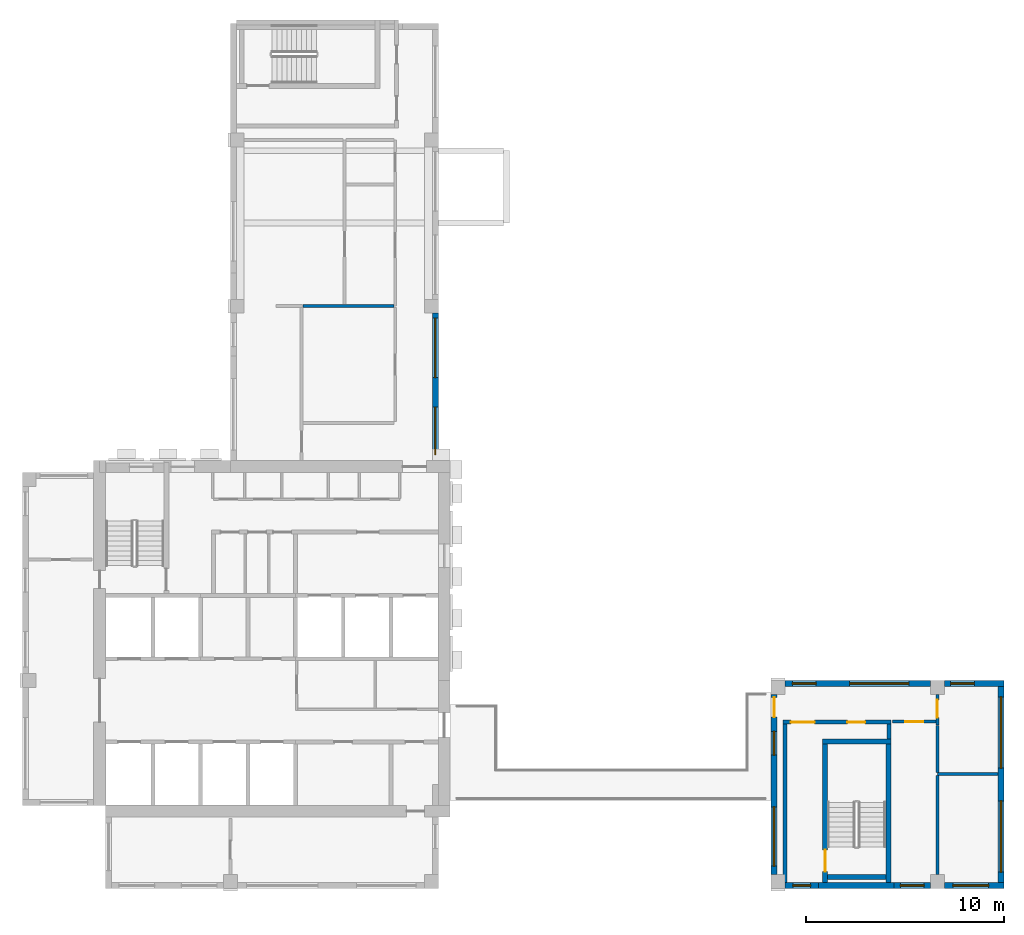
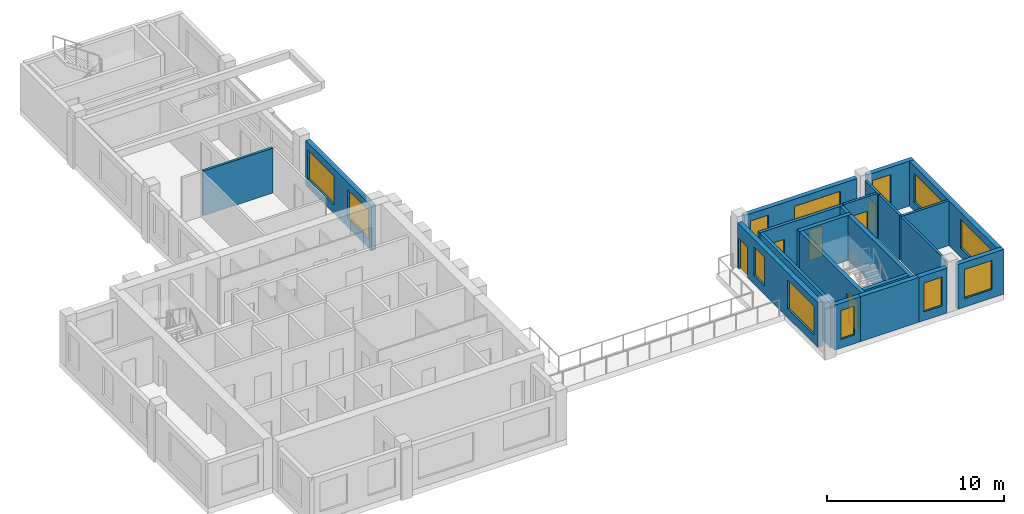
# One storey, part 4 of 9: 22 walls, 12 windows, 6 doors, 18 openings.
"""IFC4 building model written with IfcOpenShell, lengths in metres."""

from ifc_helpers import new_model, si_unit, direction, frame, frame_2d, origin, place, context, subcontext, project, spatial, rectangle, extrude, source, transform, mapped, material, layer, layer_set, type_object, element, fill, save


model = new_model("IFC4")

# Units and contexts
model_context = context("Model", 3, precision=1e-05, world=origin(), true_north=direction((0.0, 1.0)))
body_context = subcontext(model_context, "Body", "Model", "MODEL_VIEW")
ifc_project = project(units=[si_unit("LENGTHUNIT", "METRE"), si_unit("AREAUNIT", "SQUARE_METRE"), si_unit("VOLUMEUNIT", "CUBIC_METRE"), si_unit("PLANEANGLEUNIT", "RADIAN"), si_unit("MASSUNIT", "GRAM", prefix="KILO")], contexts=[model_context])

# Site, building, storey
site_placement = place(None, origin())
site = spatial("IfcSite", under=ifc_project, at=site_placement, CompositionType="ELEMENT")
building_placement = place(site_placement, origin())
building = spatial("IfcBuilding", under=site, at=building_placement, Name="Aurelian Terraces", CompositionType="ELEMENT")
storey_placement = place(building_placement, frame((0.0, 0.0, 295.0)))
storey = spatial("IfcBuildingStorey", under=building, at=storey_placement, Name="L67", CompositionType="ELEMENT", Elevation=295.0)

# Wall, openings, door, windows
ifc_material_1 = material(Name="Terracotta rainscreen cladding", Category="masonry")
ifc_layer_1 = layer(ifc_material_1, 0.3)
ifc_layer_set_1 = layer_set([ifc_layer_1], Name="EW-300")
wall_type_1 = type_object("IfcWallType", Name="EW-300", PredefinedType="STANDARD", material=ifc_layer_set_1)
wall_1_placement = place(storey_placement, frame((37.95, 9.8, 0.0), z_axis=(0.0, 0.0, 1.0), x_axis=(0.0, -1.0, 0.0)))
wall_1 = element("IfcWall", 1, at=wall_1_placement, inside=storey, type_object=wall_type_1, Name="External wall L67 F16.25", PredefinedType="STANDARD", context=body_context, shape_type="SweptSolid", body=[
    extrude(rectangle(XDim=9.1, YDim=0.3, at=frame_2d((4.55, 0.0))), origin(), (0.0, 0.0, 1.0), 3.1),
])
shared_shape_1 = source(origin(), body_context, "Body", "SweptSolid", [
    extrude(rectangle(XDim=1.2, YDim=2.0, at=frame_2d((0.6, 1.0))), frame((0.0, 0.16, 0.0), z_axis=(0.0, -1.0, 0.0), x_axis=(1.0, 0.0, 0.0)), (0.0, 0.0, 1.0), 0.32),
])
opening_1_placement = place(wall_1_placement, frame((1.8625, 0.0, 0.6)))
opening_1 = element("IfcOpeningElement", 2, at=opening_1_placement, cuts=wall_1, Name="Opening W1220", PredefinedType="OPENING", context=body_context, shape_type="MappedRepresentation", body=[
    mapped(shared_shape_1, transform((0.0, 0.0, 0.0), scale=1.0)),
])
shared_shape_2 = source(origin(), body_context, "Body", "SweptSolid", [
    extrude(rectangle(XDim=3.0, YDim=2.0, at=frame_2d((1.5, 1.0))), frame((0.0, 0.16, 0.0), z_axis=(0.0, -1.0, 0.0), x_axis=(1.0, 0.0, 0.0)), (0.0, 0.0, 1.0), 0.32),
])
opening_2_placement = place(wall_1_placement, frame((5.675, 0.0, 0.6)))
opening_2 = element("IfcOpeningElement", 3, at=opening_2_placement, cuts=wall_1, Name="Opening W3020", PredefinedType="OPENING", context=body_context, shape_type="MappedRepresentation", body=[
    mapped(shared_shape_2, transform((0.0, 0.0, 0.0), scale=1.0)),
])
opening_3_placement = place(wall_1_placement, frame((0.15, 0.0, 0.0)))
opening_3 = element("IfcOpeningElement", 4, at=opening_3_placement, cuts=wall_1, Name="Opening 86701", PredefinedType="OPENING", context=body_context, shape_type="SweptSolid", body=[
    extrude(rectangle(XDim=1.0, YDim=2.1, at=frame_2d((0.5, 1.05))), frame((0.0, 0.16, 0.0), z_axis=(0.0, -1.0, 0.0), x_axis=(1.0, 0.0, 0.0)), (0.0, 0.0, 1.0), 0.32),
])
ifc_material_2 = material(Name="Clear glazing", Category="glass")
door_type_1 = type_object("IfcDoorType", Name="BD-1000x2100", OperationType="SLIDING_TO_LEFT", PredefinedType="DOOR", material=ifc_material_2)
door_1_placement = place(opening_3_placement, origin())
door_1 = element("IfcDoor", 5, at=door_1_placement, inside=storey, type_object=door_type_1, Name="Link bridge door L67 BLADE-S", OperationType="SLIDING_TO_LEFT", OverallHeight=2.1, OverallWidth=1.0, PredefinedType="DOOR", context=body_context, shape_type="SweptSolid", body=[
    extrude(rectangle(XDim=1.0, YDim=2.1, at=frame_2d((0.5, 1.05))), frame((0.0, 0.025, 0.0), z_axis=(0.0, -1.0, 0.0), x_axis=(1.0, 0.0, 0.0)), (0.0, 0.0, 1.0), 0.05),
])
fill(opening_3, door_1)
window_type_1 = type_object("IfcWindowType", Name="W-3000x2000", PartitioningType="SINGLE_PANEL", PredefinedType="WINDOW", material=ifc_material_2)
shared_shape_3 = source(origin(), body_context, "Body", "SweptSolid", [
    extrude(rectangle(XDim=3.0, YDim=2.0, at=frame_2d((1.5, 1.0))), frame((0.0, 0.03, 0.0), z_axis=(0.0, -1.0, 0.0), x_axis=(1.0, 0.0, 0.0)), (0.0, 0.0, 1.0), 0.06),
])
window_1_placement = place(opening_2_placement, origin())
window_1 = element("IfcWindow", 6, at=window_1_placement, inside=storey, type_object=window_type_1, Name="Window L67 L67-F16-25-1", OverallHeight=2.0, OverallWidth=3.0, PartitioningType="SINGLE_PANEL", PredefinedType="WINDOW", context=body_context, shape_type="MappedRepresentation", body=[
    mapped(shared_shape_3, transform((0.0, 0.0, 0.0), scale=1.0)),
])
fill(opening_2, window_1)
window_type_2 = type_object("IfcWindowType", Name="W-1200x2000", PartitioningType="SINGLE_PANEL", PredefinedType="WINDOW", material=ifc_material_2)
shared_shape_4 = source(origin(), body_context, "Body", "SweptSolid", [
    extrude(rectangle(XDim=1.2, YDim=2.0, at=frame_2d((0.6, 1.0))), frame((0.0, 0.03, 0.0), z_axis=(0.0, -1.0, 0.0), x_axis=(1.0, 0.0, 0.0)), (0.0, 0.0, 1.0), 0.06),
])
window_2_placement = place(opening_1_placement, origin())
window_2 = element("IfcWindow", 7, at=window_2_placement, inside=storey, type_object=window_type_2, Name="Window L67 L67-F16-25-0", OverallHeight=2.0, OverallWidth=1.2, PartitioningType="SINGLE_PANEL", PredefinedType="WINDOW", context=body_context, shape_type="MappedRepresentation", body=[
    mapped(shared_shape_4, transform((0.0, 0.0, 0.0), scale=1.0)),
])
fill(opening_1, window_2)

# Walls
ifc_material_3 = material(Name="Gypsum board on steel studs", Category="steel")
ifc_layer_2 = layer(ifc_material_3, 0.15)
ifc_layer_set_2 = layer_set([ifc_layer_2], Name="Fire partition 150")
wall_type_2 = type_object("IfcWallType", Name="Fire partition 150", PredefinedType="PARTITIONING", material=ifc_layer_set_2)
wall_2_placement = place(storey_placement, frame((46.2, 0.699, 0.0), z_axis=(0.0, 0.0, 1.0), x_axis=(0.0, 1.0, 0.0)))
element("IfcWall", 8, at=wall_2_placement, inside=storey, type_object=wall_type_2, Name="Party wall", PredefinedType="PARTITIONING", context=body_context, shape_type="SweptSolid", body=[
    extrude(rectangle(XDim=5.001, YDim=0.15, at=frame_2d((2.5005, 0.0))), origin(), (0.0, 0.0, 1.0), 3.1),
])
wall_3_placement = place(storey_placement, frame((46.2, 5.85, 0.0), z_axis=(0.0, 0.0, 1.0), x_axis=(0.0, 1.0, 0.0)))
element("IfcWall", 9, at=wall_3_placement, inside=storey, type_object=wall_type_2, Name="Party wall", PredefinedType="PARTITIONING", context=body_context, shape_type="SweptSolid", body=[
    extrude(rectangle(XDim=2.38, YDim=0.15, at=frame_2d((1.19, 0.0))), origin(), (0.0, 0.0, 1.0), 3.1),
])

# Wall, opening, door
ifc_layer_3 = layer(ifc_material_3, 0.15)
ifc_layer_set_3 = layer_set([ifc_layer_3], Name="Partition 150")
wall_type_3 = type_object("IfcWallType", Name="Partition 150", PredefinedType="PARTITIONING", material=ifc_layer_set_3)
wall_4_placement = place(storey_placement, frame((46.2, 9.801, 0.0), z_axis=(0.0, 0.0, 1.0), x_axis=(0.0, -1.0, 0.0)))
wall_4 = element("IfcWall", 10, at=wall_4_placement, inside=storey, type_object=wall_type_3, Name="Partition", PredefinedType="PARTITIONING", context=body_context, shape_type="SweptSolid", body=[
    extrude(rectangle(XDim=1.551, YDim=0.15, at=frame_2d((0.7755, 0.0))), origin(), (0.0, 0.0, 1.0), 3.1),
])
shared_shape_5 = source(origin(), body_context, "Body", "SweptSolid", [
    extrude(rectangle(XDim=0.9, YDim=2.1, at=frame_2d((0.45, 1.05))), frame((0.0, 0.085, 0.0), z_axis=(0.0, -1.0, 0.0), x_axis=(1.0, 0.0, 0.0)), (0.0, 0.0, 1.0), 0.17),
])
opening_4_placement = place(wall_4_placement, frame((0.275, 0.0, 0.0)))
opening_4 = element("IfcOpeningElement", 11, at=opening_4_placement, cuts=wall_4, Name="Opening 767009", PredefinedType="OPENING", context=body_context, shape_type="MappedRepresentation", body=[
    mapped(shared_shape_5, transform((0.0, 0.0, 0.0), scale=1.0)),
])
ifc_material_4 = material(Name="Timber door leaf", Category="wood")
door_type_2 = type_object("IfcDoorType", Name="Room door 900x2100 left", OperationType="SINGLE_SWING_LEFT", PredefinedType="DOOR", material=ifc_material_4)
shared_shape_6 = source(origin(), body_context, "Body", "SweptSolid", [
    extrude(rectangle(XDim=0.9, YDim=2.1, at=frame_2d((0.45, 1.05))), frame((0.0, 0.025, 0.0), z_axis=(0.0, -1.0, 0.0), x_axis=(1.0, 0.0, 0.0)), (0.0, 0.0, 1.0), 0.05),
])
door_2_placement = place(opening_4_placement, origin())
door_2 = element("IfcDoor", 12, at=door_2_placement, inside=storey, type_object=door_type_2, Name="Door 767009", OperationType="SINGLE_SWING_LEFT", OverallHeight=2.1, OverallWidth=0.9, PredefinedType="DOOR", context=body_context, shape_type="MappedRepresentation", body=[
    mapped(shared_shape_6, transform((0.0, 0.0, 0.0), scale=1.0)),
])
fill(opening_4, door_2)

# Wall, opening, window
shared_shape_7 = source(origin(), body_context, "Body", "SweptSolid", [
    extrude(rectangle(XDim=3.01, YDim=0.3, at=frame_2d((1.505, 0.0))), origin(), (0.0, 0.0, 1.0), 3.1),
])
wall_5_placement = place(storey_placement, frame((46.55, 0.15, 0.0), z_axis=(0.0, 0.0, 1.0), x_axis=(1.0, 0.0, 0.0)))
wall_5 = element("IfcWall", 13, at=wall_5_placement, inside=storey, type_object=wall_type_1, Name="External wall L67 F13.22", PredefinedType="STANDARD", context=body_context, shape_type="MappedRepresentation", body=[
    mapped(shared_shape_7, transform((0.0, 0.0, 0.0), scale=1.0)),
])
shared_shape_8 = source(origin(), body_context, "Body", "SweptSolid", [
    extrude(rectangle(XDim=1.8, YDim=2.0, at=frame_2d((0.9, 1.0))), frame((0.0, 0.16, 0.0), z_axis=(0.0, -1.0, 0.0), x_axis=(1.0, 0.0, 0.0)), (0.0, 0.0, 1.0), 0.32),
])
opening_5_placement = place(wall_5_placement, frame((0.43, 0.0, 0.6)))
opening_5 = element("IfcOpeningElement", 14, at=opening_5_placement, cuts=wall_5, Name="Opening W1820", PredefinedType="OPENING", context=body_context, shape_type="MappedRepresentation", body=[
    mapped(shared_shape_8, transform((0.0, 0.0, 0.0), scale=1.0)),
])
window_type_3 = type_object("IfcWindowType", Name="W-1800x2000", PartitioningType="SINGLE_PANEL", PredefinedType="WINDOW", material=ifc_material_2)
shared_shape_9 = source(origin(), body_context, "Body", "SweptSolid", [
    extrude(rectangle(XDim=1.8, YDim=2.0, at=frame_2d((0.9, 1.0))), frame((0.0, 0.03, 0.0), z_axis=(0.0, -1.0, 0.0), x_axis=(1.0, 0.0, 0.0)), (0.0, 0.0, 1.0), 0.06),
])
window_3_placement = place(opening_5_placement, origin())
window_3 = element("IfcWindow", 15, at=window_3_placement, inside=storey, type_object=window_type_3, Name="Window L67 L67-F13-22-0", OverallHeight=2.0, OverallWidth=1.8, PartitioningType="SINGLE_PANEL", PredefinedType="WINDOW", context=body_context, shape_type="MappedRepresentation", body=[
    mapped(shared_shape_9, transform((0.0, 0.0, 0.0), scale=1.0)),
])
fill(opening_5, window_3)

wall_6_placement = place(storey_placement, frame((49.56, 10.35, 0.0), z_axis=(0.0, 0.0, 1.0), x_axis=(-1.0, 0.0, 0.0)))
wall_6 = element("IfcWall", 16, at=wall_6_placement, inside=storey, type_object=wall_type_1, Name="External wall L67 F15.24", PredefinedType="STANDARD", context=body_context, shape_type="MappedRepresentation", body=[
    mapped(shared_shape_7, transform((0.0, 0.0, 0.0), scale=1.0)),
])
opening_6_placement = place(wall_6_placement, frame((1.5, 0.0, 0.6)))
opening_6 = element("IfcOpeningElement", 17, at=opening_6_placement, cuts=wall_6, Name="Opening W1220", PredefinedType="OPENING", context=body_context, shape_type="MappedRepresentation", body=[
    mapped(shared_shape_1, transform((0.0, 0.0, 0.0), scale=1.0)),
])
window_4_placement = place(opening_6_placement, origin())
window_4 = element("IfcWindow", 18, at=window_4_placement, inside=storey, type_object=window_type_2, Name="Window L67 L67-F15-24-0", OverallHeight=2.0, OverallWidth=1.2, PartitioningType="SINGLE_PANEL", PredefinedType="WINDOW", context=body_context, shape_type="MappedRepresentation", body=[
    mapped(shared_shape_4, transform((0.0, 0.0, 0.0), scale=1.0)),
])
fill(opening_6, window_4)

# Wall, openings, windows
shared_shape_10 = source(origin(), body_context, "Body", "SweptSolid", [
    extrude(rectangle(XDim=7.45, YDim=0.3, at=frame_2d((3.725, 0.0))), origin(), (0.0, 0.0, 1.0), 3.1),
])
wall_7_placement = place(storey_placement, frame((20.85, 21.6, 0.0), z_axis=(0.0, 0.0, 1.0), x_axis=(0.0, 1.0, 0.0)))
wall_7 = element("IfcWall", 19, at=wall_7_placement, inside=storey, type_object=wall_type_1, Name="External wall L67 F02.6", PredefinedType="STANDARD", context=body_context, shape_type="MappedRepresentation", body=[
    mapped(shared_shape_10, transform((0.0, 0.0, 0.0), scale=1.0)),
])
shared_shape_11 = source(origin(), body_context, "Body", "SweptSolid", [
    extrude(rectangle(XDim=2.4, YDim=2.0, at=frame_2d((1.2, 1.0))), frame((0.0, 0.16, 0.0), z_axis=(0.0, -1.0, 0.0), x_axis=(1.0, 0.0, 0.0)), (0.0, 0.0, 1.0), 0.32),
])
opening_7_placement = place(wall_7_placement, frame((0.3, 0.0, 0.6)))
opening_7 = element("IfcOpeningElement", 20, at=opening_7_placement, cuts=wall_7, Name="Opening W2420", PredefinedType="OPENING", context=body_context, shape_type="MappedRepresentation", body=[
    mapped(shared_shape_11, transform((0.0, 0.0, 0.0), scale=1.0)),
])
opening_8_placement = place(wall_7_placement, frame((4.2, 0.0, 0.6)))
opening_8 = element("IfcOpeningElement", 21, at=opening_8_placement, cuts=wall_7, Name="Opening W3020", PredefinedType="OPENING", context=body_context, shape_type="MappedRepresentation", body=[
    mapped(shared_shape_2, transform((0.0, 0.0, 0.0), scale=1.0)),
])
window_5_placement = place(opening_8_placement, origin())
window_5 = element("IfcWindow", 22, at=window_5_placement, inside=storey, type_object=window_type_1, Name="Window L67 L67-F02-06-1", OverallHeight=2.0, OverallWidth=3.0, PartitioningType="SINGLE_PANEL", PredefinedType="WINDOW", context=body_context, shape_type="MappedRepresentation", body=[
    mapped(shared_shape_3, transform((0.0, 0.0, 0.0), scale=1.0)),
])
fill(opening_8, window_5)
window_type_4 = type_object("IfcWindowType", Name="W-2400x2000", PartitioningType="SINGLE_PANEL", PredefinedType="WINDOW", material=ifc_material_2)
shared_shape_12 = source(origin(), body_context, "Body", "SweptSolid", [
    extrude(rectangle(XDim=2.4, YDim=2.0, at=frame_2d((1.2, 1.0))), frame((0.0, 0.03, 0.0), z_axis=(0.0, -1.0, 0.0), x_axis=(1.0, 0.0, 0.0)), (0.0, 0.0, 1.0), 0.06),
])
window_6_placement = place(opening_7_placement, origin())
window_6 = element("IfcWindow", 23, at=window_6_placement, inside=storey, type_object=window_type_4, Name="Window L67 L67-F02-06-0", OverallHeight=2.0, OverallWidth=2.4, PartitioningType="SINGLE_PANEL", PredefinedType="WINDOW", context=body_context, shape_type="MappedRepresentation", body=[
    mapped(shared_shape_12, transform((0.0, 0.0, 0.0), scale=1.0)),
])
fill(opening_7, window_6)

# Wall
ifc_material_5 = material(Name="Concrete fc' 40 MPa", Category="concrete")
ifc_layer_4 = layer(ifc_material_5, 0.3)
ifc_layer_set_4 = layer_set([ifc_layer_4], Name="STAIR BAY WALL 300")
wall_type_4 = type_object("IfcWallType", Name="STAIR BAY WALL 300", PredefinedType="SOLIDWALL", material=ifc_layer_set_4)
shared_shape_13 = source(origin(), body_context, "Body", "SweptSolid", [
    extrude(rectangle(XDim=3.8, YDim=0.3, at=frame_2d((1.9, 0.0))), origin(), (0.0, 0.0, 1.0), 3.1),
])
wall_8_placement = place(storey_placement, frame((40.2, 0.15, 0.0), z_axis=(0.0, 0.0, 1.0), x_axis=(1.0, 0.0, 0.0)))
element("IfcWall", 24, at=wall_8_placement, inside=storey, type_object=wall_type_4, Name="Stair bay wall L67 F13.21", PredefinedType="SOLIDWALL", context=body_context, shape_type="MappedRepresentation", body=[
    mapped(shared_shape_13, transform((0.0, 0.0, 0.0), scale=1.0)),
])

# Wall, opening, window
shared_shape_14 = source(origin(), body_context, "Body", "SweptSolid", [
    extrude(rectangle(XDim=1.85, YDim=0.3, at=frame_2d((0.925, 0.0))), origin(), (0.0, 0.0, 1.0), 3.1),
])
wall_9_placement = place(storey_placement, frame((44.0, 0.15, 0.0), z_axis=(0.0, 0.0, 1.0), x_axis=(1.0, 0.0, 0.0)))
wall_9 = element("IfcWall", 25, at=wall_9_placement, inside=storey, type_object=wall_type_1, Name="External wall L67 F13.21", PredefinedType="STANDARD", context=body_context, shape_type="MappedRepresentation", body=[
    mapped(shared_shape_14, transform((0.0, 0.0, 0.0), scale=1.0)),
])
opening_9_placement = place(wall_9_placement, frame((0.325, 0.0, 0.6)))
opening_9 = element("IfcOpeningElement", 26, at=opening_9_placement, cuts=wall_9, Name="Opening W1220", PredefinedType="OPENING", context=body_context, shape_type="MappedRepresentation", body=[
    mapped(shared_shape_1, transform((0.0, 0.0, 0.0), scale=1.0)),
])
window_7_placement = place(opening_9_placement, origin())
window_7 = element("IfcWindow", 27, at=window_7_placement, inside=storey, type_object=window_type_2, Name="Window L67 L67-F13-21-P2", OverallHeight=2.0, OverallWidth=1.2, PartitioningType="SINGLE_PANEL", PredefinedType="WINDOW", context=body_context, shape_type="MappedRepresentation", body=[
    mapped(shared_shape_4, transform((0.0, 0.0, 0.0), scale=1.0)),
])
fill(opening_9, window_7)

# Wall, openings, windows
shared_shape_15 = source(origin(), body_context, "Body", "SweptSolid", [
    extrude(rectangle(XDim=10.5, YDim=0.3, at=frame_2d((5.25, 0.0))), origin(), (0.0, 0.0, 1.0), 3.1),
])
wall_10_placement = place(storey_placement, frame((49.41, 0.0, 0.0), z_axis=(0.0, 0.0, 1.0), x_axis=(0.0, 1.0, 0.0)))
wall_10 = element("IfcWall", 28, at=wall_10_placement, inside=storey, type_object=wall_type_1, Name="External wall L67 F14.23", PredefinedType="STANDARD", context=body_context, shape_type="MappedRepresentation", body=[
    mapped(shared_shape_15, transform((0.0, 0.0, 0.0), scale=1.0)),
])
shared_shape_16 = source(origin(), body_context, "Body", "SweptSolid", [
    extrude(rectangle(XDim=3.6, YDim=2.0, at=frame_2d((1.8, 1.0))), frame((0.0, 0.16, 0.0), z_axis=(0.0, -1.0, 0.0), x_axis=(1.0, 0.0, 0.0)), (0.0, 0.0, 1.0), 0.32),
])
opening_10_placement = place(wall_10_placement, frame((0.825, 0.0, 0.6)))
opening_10 = element("IfcOpeningElement", 29, at=opening_10_placement, cuts=wall_10, Name="Opening W3620", PredefinedType="OPENING", context=body_context, shape_type="MappedRepresentation", body=[
    mapped(shared_shape_16, transform((0.0, 0.0, 0.0), scale=1.0)),
])
opening_11_placement = place(wall_10_placement, frame((6.075, 0.0, 0.6)))
opening_11 = element("IfcOpeningElement", 30, at=opening_11_placement, cuts=wall_10, Name="Opening W3620", PredefinedType="OPENING", context=body_context, shape_type="MappedRepresentation", body=[
    mapped(shared_shape_16, transform((0.0, 0.0, 0.0), scale=1.0)),
])
window_type_5 = type_object("IfcWindowType", Name="W-3600x2000", PartitioningType="SINGLE_PANEL", PredefinedType="WINDOW", material=ifc_material_2)
shared_shape_17 = source(origin(), body_context, "Body", "SweptSolid", [
    extrude(rectangle(XDim=3.6, YDim=2.0, at=frame_2d((1.8, 1.0))), frame((0.0, 0.03, 0.0), z_axis=(0.0, -1.0, 0.0), x_axis=(1.0, 0.0, 0.0)), (0.0, 0.0, 1.0), 0.06),
])
window_8_placement = place(opening_10_placement, origin())
window_8 = element("IfcWindow", 31, at=window_8_placement, inside=storey, type_object=window_type_5, Name="Window L67 L67-F14-23-0", OverallHeight=2.0, OverallWidth=3.6, PartitioningType="SINGLE_PANEL", PredefinedType="WINDOW", context=body_context, shape_type="MappedRepresentation", body=[
    mapped(shared_shape_17, transform((0.0, 0.0, 0.0), scale=1.0)),
])
fill(opening_10, window_8)
window_9_placement = place(opening_11_placement, origin())
window_9 = element("IfcWindow", 32, at=window_9_placement, inside=storey, type_object=window_type_5, Name="Window L67 L67-F14-23-1", OverallHeight=2.0, OverallWidth=3.6, PartitioningType="SINGLE_PANEL", PredefinedType="WINDOW", context=body_context, shape_type="MappedRepresentation", body=[
    mapped(shared_shape_17, transform((0.0, 0.0, 0.0), scale=1.0)),
])
fill(opening_11, window_9)

# Wall, opening, window
shared_shape_18 = source(origin(), body_context, "Body", "SweptSolid", [
    extrude(rectangle(XDim=1.7, YDim=0.3, at=frame_2d((0.85, 0.0))), origin(), (0.0, 0.0, 1.0), 3.1),
])
wall_11_placement = place(storey_placement, frame((38.5, 0.15, 0.0), z_axis=(0.0, 0.0, 1.0), x_axis=(1.0, 0.0, 0.0)))
wall_11 = element("IfcWall", 33, at=wall_11_placement, inside=storey, type_object=wall_type_1, Name="External wall L67 F13.21", PredefinedType="STANDARD", context=body_context, shape_type="MappedRepresentation", body=[
    mapped(shared_shape_18, transform((0.0, 0.0, 0.0), scale=1.0)),
])
shared_shape_19 = source(origin(), body_context, "Body", "SweptSolid", [
    extrude(rectangle(XDim=0.9, YDim=2.0, at=frame_2d((0.45, 1.0))), frame((0.0, 0.16, 0.0), z_axis=(0.0, -1.0, 0.0), x_axis=(1.0, 0.0, 0.0)), (0.0, 0.0, 1.0), 0.32),
])
opening_12_placement = place(wall_11_placement, frame((0.4, 0.0, 0.6)))
opening_12 = element("IfcOpeningElement", 34, at=opening_12_placement, cuts=wall_11, Name="Opening W0920", PredefinedType="OPENING", context=body_context, shape_type="MappedRepresentation", body=[
    mapped(shared_shape_19, transform((0.0, 0.0, 0.0), scale=1.0)),
])
window_type_6 = type_object("IfcWindowType", Name="W-900x2000", PartitioningType="SINGLE_PANEL", PredefinedType="WINDOW", material=ifc_material_2)
shared_shape_20 = source(origin(), body_context, "Body", "SweptSolid", [
    extrude(rectangle(XDim=0.9, YDim=2.0, at=frame_2d((0.45, 1.0))), frame((0.0, 0.03, 0.0), z_axis=(0.0, -1.0, 0.0), x_axis=(1.0, 0.0, 0.0)), (0.0, 0.0, 1.0), 0.06),
])
window_10_placement = place(opening_12_placement, origin())
window_10 = element("IfcWindow", 35, at=window_10_placement, inside=storey, type_object=window_type_6, Name="Window L67 L67-F13-21-P0", OverallHeight=2.0, OverallWidth=0.9, PartitioningType="SINGLE_PANEL", PredefinedType="WINDOW", context=body_context, shape_type="MappedRepresentation", body=[
    mapped(shared_shape_20, transform((0.0, 0.0, 0.0), scale=1.0)),
])
fill(opening_12, window_10)

# Wall, openings, windows
shared_shape_21 = source(origin(), body_context, "Body", "SweptSolid", [
    extrude(rectangle(XDim=7.35, YDim=0.3, at=frame_2d((3.675, 0.0))), origin(), (0.0, 0.0, 1.0), 3.1),
])
wall_12_placement = place(storey_placement, frame((45.85, 10.35, 0.0), z_axis=(0.0, 0.0, 1.0), x_axis=(-1.0, 0.0, 0.0)))
wall_12 = element("IfcWall", 36, at=wall_12_placement, inside=storey, type_object=wall_type_1, Name="External wall L67 F15.24", PredefinedType="STANDARD", context=body_context, shape_type="MappedRepresentation", body=[
    mapped(shared_shape_21, transform((0.0, 0.0, 0.0), scale=1.0)),
])
opening_13_placement = place(wall_12_placement, frame((1.09, 0.0, 0.6)))
opening_13 = element("IfcOpeningElement", 37, at=opening_13_placement, cuts=wall_12, Name="Opening W3020", PredefinedType="OPENING", context=body_context, shape_type="MappedRepresentation", body=[
    mapped(shared_shape_2, transform((0.0, 0.0, 0.0), scale=1.0)),
])
opening_14_placement = place(wall_12_placement, frame((5.77, 0.0, 0.6)))
opening_14 = element("IfcOpeningElement", 38, at=opening_14_placement, cuts=wall_12, Name="Opening W1220", PredefinedType="OPENING", context=body_context, shape_type="MappedRepresentation", body=[
    mapped(shared_shape_1, transform((0.0, 0.0, 0.0), scale=1.0)),
])
window_11_placement = place(opening_13_placement, origin())
window_11 = element("IfcWindow", 39, at=window_11_placement, inside=storey, type_object=window_type_1, Name="Window L67 L67-F15-24-1", OverallHeight=2.0, OverallWidth=3.0, PartitioningType="SINGLE_PANEL", PredefinedType="WINDOW", context=body_context, shape_type="MappedRepresentation", body=[
    mapped(shared_shape_3, transform((0.0, 0.0, 0.0), scale=1.0)),
])
fill(opening_13, window_11)
window_12_placement = place(opening_14_placement, origin())
window_12 = element("IfcWindow", 40, at=window_12_placement, inside=storey, type_object=window_type_2, Name="Window L67 L67-F15-24-2", OverallHeight=2.0, OverallWidth=1.2, PartitioningType="SINGLE_PANEL", PredefinedType="WINDOW", context=body_context, shape_type="MappedRepresentation", body=[
    mapped(shared_shape_4, transform((0.0, 0.0, 0.0), scale=1.0)),
])
fill(opening_14, window_12)

# Wall, opening, door
ifc_layer_5 = layer(ifc_material_5, 0.25)
ifc_layer_set_5 = layer_set([ifc_layer_5], Name="Stair enclosure wall 250")
wall_type_5 = type_object("IfcWallType", Name="Stair enclosure wall 250", PredefinedType="SOLIDWALL", material=ifc_layer_set_5)
shared_shape_22 = source(origin(), body_context, "Body", "SweptSolid", [
    extrude(rectangle(XDim=7.0, YDim=0.25, at=frame_2d((3.5, 0.0))), origin(), (0.0, 0.0, 1.0), 3.1),
])
wall_13_placement = place(storey_placement, frame((40.525, 0.3, 0.0), z_axis=(0.0, 0.0, 1.0), x_axis=(0.0, 1.0, 0.0)))
wall_13 = element("IfcWall", 41, at=wall_13_placement, inside=storey, type_object=wall_type_5, Name="L67 core wall ST-S2-W", PredefinedType="SOLIDWALL", context=body_context, shape_type="MappedRepresentation", body=[
    mapped(shared_shape_22, transform((0.0, 0.0, 0.0), scale=1.0)),
])
shared_shape_23 = source(origin(), body_context, "Body", "SweptSolid", [
    extrude(rectangle(XDim=1.1, YDim=2.1, at=frame_2d((0.55, 1.05))), frame((0.0, 0.135, 0.0), z_axis=(0.0, -1.0, 0.0), x_axis=(1.0, 0.0, 0.0)), (0.0, 0.0, 1.0), 0.27),
])
opening_15_placement = place(wall_13_placement, frame((0.55, 0.0, 0.0)))
opening_15 = element("IfcOpeningElement", 42, at=opening_15_placement, cuts=wall_13, Name="Opening 67025", PredefinedType="OPENING", context=body_context, shape_type="MappedRepresentation", body=[
    mapped(shared_shape_23, transform((0.0, 0.0, 0.0), scale=1.0)),
])
ifc_material_6 = material(Name="Steel door leaf", Category="steel")
door_type_3 = type_object("IfcDoorType", Name="Core fire door 1100x2100 right", OperationType="SINGLE_SWING_RIGHT", PredefinedType="DOOR", material=ifc_material_6)
shared_shape_24 = source(origin(), body_context, "Body", "SweptSolid", [
    extrude(rectangle(XDim=1.1, YDim=2.1, at=frame_2d((0.55, 1.05))), frame((0.0, 0.025, 0.0), z_axis=(0.0, -1.0, 0.0), x_axis=(1.0, 0.0, 0.0)), (0.0, 0.0, 1.0), 0.05),
])
door_3_placement = place(opening_15_placement, origin())
door_3 = element("IfcDoor", 43, at=door_3_placement, inside=storey, type_object=door_type_3, Name="Stair door 67025", OperationType="SINGLE_SWING_RIGHT", OverallHeight=2.1, OverallWidth=1.1, PredefinedType="DOOR", context=body_context, shape_type="MappedRepresentation", body=[
    mapped(shared_shape_24, transform((0.0, 0.0, 0.0), scale=1.0)),
])
fill(opening_15, door_3)

# Walls
wall_14_placement = place(storey_placement, frame((43.725, 0.3, 0.0), z_axis=(0.0, 0.0, 1.0), x_axis=(0.0, 1.0, 0.0)))
element("IfcWall", 44, at=wall_14_placement, inside=storey, type_object=wall_type_5, Name="L67 core wall ST-S2-E", PredefinedType="SOLIDWALL", context=body_context, shape_type="MappedRepresentation", body=[
    mapped(shared_shape_22, transform((0.0, 0.0, 0.0), scale=1.0)),
])
shared_shape_25 = source(origin(), body_context, "Body", "SweptSolid", [
    extrude(rectangle(XDim=3.45, YDim=0.25, at=frame_2d((1.725, 0.0))), origin(), (0.0, 0.0, 1.0), 3.1),
])
wall_15_placement = place(storey_placement, frame((40.4, 7.425, 0.0), z_axis=(0.0, 0.0, 1.0), x_axis=(1.0, 0.0, 0.0)))
element("IfcWall", 45, at=wall_15_placement, inside=storey, type_object=wall_type_5, Name="L67 core wall ST-S2-N", PredefinedType="SOLIDWALL", context=body_context, shape_type="MappedRepresentation", body=[
    mapped(shared_shape_25, transform((0.0, 0.0, 0.0), scale=1.0)),
])
ifc_layer_6 = layer(ifc_material_3, 0.2)
ifc_layer_set_6 = layer_set([ifc_layer_6], Name="Core partition 200")
wall_type_6 = type_object("IfcWallType", Name="Core partition 200", PredefinedType="PARTITIONING", material=ifc_layer_set_6)
shared_shape_26 = source(origin(), body_context, "Body", "SweptSolid", [
    extrude(rectangle(XDim=8.0, YDim=0.2, at=frame_2d((4.0, 0.0))), origin(), (0.0, 0.0, 1.0), 3.1),
])
wall_16_placement = place(storey_placement, frame((38.5, 0.3, 0.0), z_axis=(0.0, 0.0, 1.0), x_axis=(0.0, 1.0, 0.0)))
element("IfcWall", 46, at=wall_16_placement, inside=storey, type_object=wall_type_6, Name="L67 core wall ST-S2-VW", PredefinedType="PARTITIONING", context=body_context, shape_type="MappedRepresentation", body=[
    mapped(shared_shape_26, transform((0.0, 0.0, 0.0), scale=1.0)),
])

# Wall, openings, doors
shared_shape_27 = source(origin(), body_context, "Body", "SweptSolid", [
    extrude(rectangle(XDim=5.45, YDim=0.2, at=frame_2d((2.725, 0.0))), origin(), (0.0, 0.0, 1.0), 3.1),
])
wall_17_placement = place(storey_placement, frame((38.4, 8.4, 0.0), z_axis=(0.0, 0.0, 1.0), x_axis=(1.0, 0.0, 0.0)))
wall_17 = element("IfcWall", 47, at=wall_17_placement, inside=storey, type_object=wall_type_6, Name="L67 core wall ST-S2-BN", PredefinedType="PARTITIONING", context=body_context, shape_type="MappedRepresentation", body=[
    mapped(shared_shape_27, transform((0.0, 0.0, 0.0), scale=1.0)),
])
shared_shape_28 = source(origin(), body_context, "Body", "SweptSolid", [
    extrude(rectangle(XDim=1.2, YDim=2.1, at=frame_2d((0.6, 1.05))), frame((0.0, 0.11, 0.0), z_axis=(0.0, -1.0, 0.0), x_axis=(1.0, 0.0, 0.0)), (0.0, 0.0, 1.0), 0.22),
])
opening_16_placement = place(wall_17_placement, frame((0.4, 0.0, 0.0)))
opening_16 = element("IfcOpeningElement", 48, at=opening_16_placement, cuts=wall_17, Name="Opening 67026", PredefinedType="OPENING", context=body_context, shape_type="MappedRepresentation", body=[
    mapped(shared_shape_28, transform((0.0, 0.0, 0.0), scale=1.0)),
])
shared_shape_29 = source(origin(), body_context, "Body", "SweptSolid", [
    extrude(rectangle(XDim=0.9, YDim=2.1, at=frame_2d((0.45, 1.05))), frame((0.0, 0.11, 0.0), z_axis=(0.0, -1.0, 0.0), x_axis=(1.0, 0.0, 0.0)), (0.0, 0.0, 1.0), 0.22),
])
opening_17_placement = place(wall_17_placement, frame((3.25, 0.0, 0.0)))
opening_17 = element("IfcOpeningElement", 49, at=opening_17_placement, cuts=wall_17, Name="Opening 67027", PredefinedType="OPENING", context=body_context, shape_type="MappedRepresentation", body=[
    mapped(shared_shape_29, transform((0.0, 0.0, 0.0), scale=1.0)),
])
door_type_4 = type_object("IfcDoorType", Name="Core riser door 900x2100 right", OperationType="SINGLE_SWING_RIGHT", PredefinedType="DOOR", material=ifc_material_6)
door_4_placement = place(opening_17_placement, origin())
door_4 = element("IfcDoor", 50, at=door_4_placement, inside=storey, type_object=door_type_4, Name="Riser door 67027", OperationType="SINGLE_SWING_RIGHT", OverallHeight=2.1, OverallWidth=0.9, PredefinedType="DOOR", context=body_context, shape_type="MappedRepresentation", body=[
    mapped(shared_shape_6, transform((0.0, 0.0, 0.0), scale=1.0)),
])
fill(opening_17, door_4)
door_type_5 = type_object("IfcDoorType", Name="Core fire door 1200x2100", OperationType="SINGLE_SWING_LEFT", PredefinedType="DOOR", material=ifc_material_6)
shared_shape_30 = source(origin(), body_context, "Body", "SweptSolid", [
    extrude(rectangle(XDim=1.2, YDim=2.1, at=frame_2d((0.6, 1.05))), frame((0.0, 0.025, 0.0), z_axis=(0.0, -1.0, 0.0), x_axis=(1.0, 0.0, 0.0)), (0.0, 0.0, 1.0), 0.05),
])
door_5_placement = place(opening_16_placement, origin())
door_5 = element("IfcDoor", 51, at=door_5_placement, inside=storey, type_object=door_type_5, Name="Vestibule door 67026", OperationType="SINGLE_SWING_LEFT", OverallHeight=2.1, OverallWidth=1.2, PredefinedType="DOOR", context=body_context, shape_type="MappedRepresentation", body=[
    mapped(shared_shape_30, transform((0.0, 0.0, 0.0), scale=1.0)),
])
fill(opening_16, door_5)

# Walls
shared_shape_31 = source(origin(), body_context, "Body", "SweptSolid", [
    extrude(rectangle(XDim=0.75, YDim=0.2, at=frame_2d((0.375, 0.0))), origin(), (0.0, 0.0, 1.0), 3.1),
])
wall_18_placement = place(storey_placement, frame((43.75, 7.55, 0.0), z_axis=(0.0, 0.0, 1.0), x_axis=(0.0, 1.0, 0.0)))
element("IfcWall", 52, at=wall_18_placement, inside=storey, type_object=wall_type_6, Name="L67 core wall ST-S2-RE", PredefinedType="PARTITIONING", context=body_context, shape_type="MappedRepresentation", body=[
    mapped(shared_shape_31, transform((0.0, 0.0, 0.0), scale=1.0)),
])
shared_shape_32 = source(origin(), body_context, "Body", "SweptSolid", [
    extrude(rectangle(XDim=2.95, YDim=0.25, at=frame_2d((1.475, 0.0))), origin(), (0.0, 0.0, 1.0), 3.1),
])
wall_19_placement = place(storey_placement, frame((40.65, 0.575, 0.0), z_axis=(0.0, 0.0, 1.0), x_axis=(1.0, 0.0, 0.0)))
element("IfcWall", 53, at=wall_19_placement, inside=storey, type_object=wall_type_5, Name="L67 core wall ST-S2-SS", PredefinedType="SOLIDWALL", context=body_context, shape_type="MappedRepresentation", body=[
    mapped(shared_shape_32, transform((0.0, 0.0, 0.0), scale=1.0)),
])
shared_shape_33 = source(origin(), body_context, "Body", "SweptSolid", [
    extrude(rectangle(XDim=4.575, YDim=0.15, at=frame_2d((2.2875, 0.0))), origin(), (0.0, 0.0, 1.0), 3.1),
])
wall_20_placement = place(storey_placement, frame((18.75, 29.4, 0.0), z_axis=(0.0, 0.0, 1.0), x_axis=(-1.0, 0.0, 0.0)))
element("IfcWall", 54, at=wall_20_placement, inside=storey, type_object=wall_type_3, Name="Partition", PredefinedType="PARTITIONING", context=body_context, shape_type="MappedRepresentation", body=[
    mapped(shared_shape_33, transform((0.0, 0.0, 0.0), scale=1.0)),
])
shared_shape_34 = source(origin(), body_context, "Body", "SweptSolid", [
    extrude(rectangle(XDim=3.06, YDim=0.15, at=frame_2d((1.53, 0.0))), origin(), (0.0, 0.0, 1.0), 3.1),
])
wall_21_placement = place(storey_placement, frame((49.26, 5.775, 0.0), z_axis=(0.0, 0.0, 1.0), x_axis=(-1.0, 0.0, 0.0)))
element("IfcWall", 55, at=wall_21_placement, inside=storey, type_object=wall_type_3, Name="Partition", PredefinedType="PARTITIONING", context=body_context, shape_type="MappedRepresentation", body=[
    mapped(shared_shape_34, transform((0.0, 0.0, 0.0), scale=1.0)),
])

# Wall, opening, door
shared_shape_35 = source(origin(), body_context, "Body", "SweptSolid", [
    extrude(rectangle(XDim=2.2, YDim=0.15, at=frame_2d((1.1, 0.0))), origin(), (0.0, 0.0, 1.0), 3.1),
])
wall_22_placement = place(storey_placement, frame((46.125, 8.425, 0.0), z_axis=(0.0, 0.0, 1.0), x_axis=(-1.0, 0.0, 0.0)))
wall_22 = element("IfcWall", 56, at=wall_22_placement, inside=storey, type_object=wall_type_3, Name="Partition", PredefinedType="PARTITIONING", context=body_context, shape_type="MappedRepresentation", body=[
    mapped(shared_shape_35, transform((0.0, 0.0, 0.0), scale=1.0)),
])
opening_18_placement = place(wall_22_placement, frame((0.65, 0.0, 0.0)))
opening_18 = element("IfcOpeningElement", 57, at=opening_18_placement, cuts=wall_22, Name="Opening 767002", PredefinedType="OPENING", context=body_context, shape_type="MappedRepresentation", body=[
    mapped(shared_shape_5, transform((0.0, 0.0, 0.0), scale=1.0)),
])
door_6_placement = place(opening_18_placement, origin())
door_6 = element("IfcDoor", 58, at=door_6_placement, inside=storey, type_object=door_type_2, Name="Door 767002", OperationType="SINGLE_SWING_LEFT", OverallHeight=2.1, OverallWidth=0.9, PredefinedType="DOOR", context=body_context, shape_type="MappedRepresentation", body=[
    mapped(shared_shape_6, transform((0.0, 0.0, 0.0), scale=1.0)),
])
fill(opening_18, door_6)

save(model, "model.ifc")
